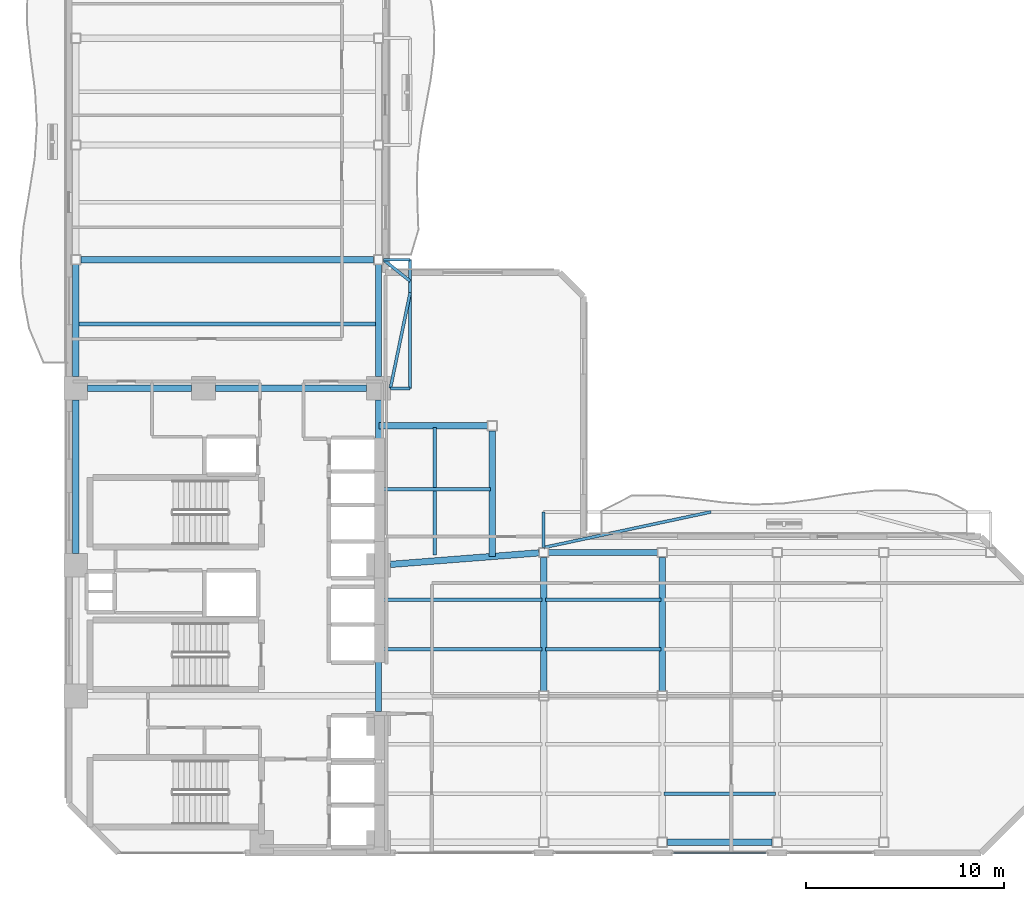
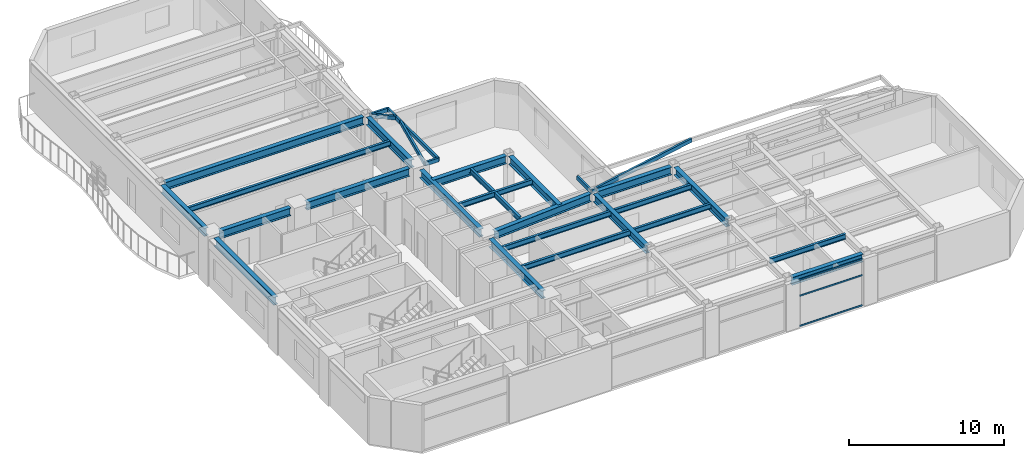
# One storey, part 6 of 15: 30 beams, 3 members, 1 element without a shape of its own.
"""IFC4 building model written with IfcOpenShell, lengths in metres."""

from ifc_helpers import new_model, si_unit, direction, frame, origin, origin_2d, place, context, subcontext, project, spatial, hollow_rectangle, i_section, extrude, material, layer, layer_set, material_profile, profile_set, type_object, element, aggregate, save


model = new_model("IFC4")

# Units and contexts
model_context = context("Model", 3, precision=1e-05, world=origin(), true_north=direction((0.0, 1.0)))
body_context = subcontext(model_context, "Body", "Model", "MODEL_VIEW")
ifc_project = project(units=[si_unit("LENGTHUNIT", "METRE"), si_unit("AREAUNIT", "SQUARE_METRE"), si_unit("VOLUMEUNIT", "CUBIC_METRE"), si_unit("PLANEANGLEUNIT", "RADIAN"), si_unit("MASSUNIT", "GRAM", prefix="KILO")], contexts=[model_context])

# Site, building, storey
site_placement = place(None, origin())
site = spatial("IfcSite", under=ifc_project, at=site_placement, CompositionType="ELEMENT")
building_placement = place(site_placement, origin())
building = spatial("IfcBuilding", under=site, at=building_placement, Name="Mawjaban Terraces University", CompositionType="ELEMENT")
storey_placement = place(building_placement, frame((0.0, 0.0, 119.0)))
storey = spatial("IfcBuildingStorey", under=building, at=storey_placement, Name="L28", CompositionType="ELEMENT", Elevation=119.0)

# Beams
ifc_material_1 = material(Name="Steel EN 10210-1 S355J2H", Category="steel")
ifc_material_profile_1 = material_profile(ifc_material_1, hollow_rectangle(XDim=0.14990234375, YDim=0.300048828125, WallThickness=0.012451171875, at=origin_2d()), Name="RHS300X150X12.5")
ifc_profile_set_1 = profile_set([ifc_material_profile_1], Name="Steel EN 10210-1 S355J2H")
beam_type_1 = type_object("IfcBeamType", Name="BalconyCantileverSpandrel_RHS", PredefinedType="SPANDREL", material=ifc_profile_set_1)
beam_1_placement = place(storey_placement, frame((46.0, 15.449951171875, 3.5400390625), z_axis=(0.0, 1.0, 0.0), x_axis=(-1.0, 0.0, 0.0)))
element("IfcBeam", 1, at=beam_1_placement, inside=storey, type_object=beam_type_1, Name="L28 Exterior Outrigger BAL-L29-N.1", PredefinedType="SPANDREL", context=body_context, shape_type="SweptSolid", body=[
    extrude(hollow_rectangle(XDim=0.14990234375, YDim=0.300048828125, WallThickness=0.012451171875, at=origin_2d()), origin(), (0.0, 0.0, 1.0), 1.800048828125),
])
beam_2_placement = place(storey_placement, frame((46.0, 15.449951171875, 3.5400390625), z_axis=(0.978069088277, 0.208280720558, 0.0), x_axis=(-0.208280720558, 0.978069088277, 0.0)))
element("IfcBeam", 2, at=beam_2_placement, inside=storey, type_object=beam_type_1, Name="L28 Exterior Diagonal Strut BAL-L29-N.1", PredefinedType="SPANDREL", context=body_context, shape_type="SweptSolid", body=[
    extrude(hollow_rectangle(XDim=0.14990234375, YDim=0.300048828125, WallThickness=0.012451171875, at=origin_2d()), origin(), (0.0, 0.0, 1.0), 8.642333984375),
])
beam_3_placement = place(storey_placement, frame((38.25, 23.5, 3.5400390625), z_axis=(1.0, 0.0, 0.0), x_axis=(0.0, 1.0, 0.0)))
element("IfcBeam", 3, at=beam_3_placement, inside=storey, type_object=beam_type_1, Name="L28 Exterior Outrigger TER-L29-CLIMB.1", PredefinedType="SPANDREL", context=body_context, shape_type="SweptSolid", body=[
    extrude(hollow_rectangle(XDim=0.14990234375, YDim=0.300048828125, WallThickness=0.012451171875, at=origin_2d()), origin(), (0.0, 0.0, 1.0), 1.0),
])
beam_4_placement = place(storey_placement, frame((37.89990234375, 30.0, 3.5400390625), z_axis=(1.0, 0.0, 0.0), x_axis=(0.0, 1.0, 0.0)))
element("IfcBeam", 4, at=beam_4_placement, inside=storey, type_object=beam_type_1, Name="L28 Exterior Outrigger TER-L29-CLIMB.2", PredefinedType="SPANDREL", context=body_context, shape_type="SweptSolid", body=[
    extrude(hollow_rectangle(XDim=0.14990234375, YDim=0.300048828125, WallThickness=0.012451171875, at=origin_2d()), origin(), (0.0, 0.0, 1.0), 1.35009765625),
])
beam_5_placement = place(storey_placement, frame((39.25, 23.5, 3.5400390625), z_axis=(0.0, 1.0, 0.0), x_axis=(-1.0, 0.0, 0.0)))
element("IfcBeam", 5, at=beam_5_placement, inside=storey, type_object=beam_type_1, Name="L28 Exterior Edge Spandrel TER-L29-CLIMB", PredefinedType="SPANDREL", context=body_context, shape_type="SweptSolid", body=[
    extrude(hollow_rectangle(XDim=0.14990234375, YDim=0.300048828125, WallThickness=0.012451171875, at=origin_2d()), origin(), (0.0, 0.0, 1.0), 6.5),
])
beam_6_placement = place(storey_placement, frame((38.25, 23.5, 3.5400390625), z_axis=(0.202540198775, 0.979273949352, 0.0), x_axis=(-0.979273949352, 0.202540198775, 0.0)))
element("IfcBeam", 6, at=beam_6_placement, inside=storey, type_object=beam_type_1, Name="L28 Exterior Diagonal Strut TER-L29-CLIMB.1", PredefinedType="SPANDREL", context=body_context, shape_type="SweptSolid", body=[
    extrude(hollow_rectangle(XDim=0.14990234375, YDim=0.300048828125, WallThickness=0.012451171875, at=origin_2d()), origin(), (0.0, 0.0, 1.0), 4.937255859375),
])
beam_7_placement = place(storey_placement, frame((37.89990234375, 30.0, 3.5400390625), z_axis=(0.779491727978, -0.626412520639, 0.0), x_axis=(0.626412520639, 0.779491727978, 0.0)))
element("IfcBeam", 7, at=beam_7_placement, inside=storey, type_object=beam_type_1, Name="L28 Exterior Diagonal Strut TER-L29-CLIMB.2", PredefinedType="SPANDREL", context=body_context, shape_type="SweptSolid", body=[
    extrude(hollow_rectangle(XDim=0.14990234375, YDim=0.300048828125, WallThickness=0.012451171875, at=origin_2d()), origin(), (0.0, 0.0, 1.0), 1.73193359375),
])
ifc_material_2 = material(Name="Steel ASTM A572 Grade 50", Category="steel")
ifc_material_profile_2 = material_profile(ifc_material_2, i_section(OverallWidth=0.324951171875, OverallDepth=0.615966796875, WebThickness=0.013916015625, FlangeThickness=0.021484375, at=origin_2d()), Name="W610X174")
ifc_profile_set_2 = profile_set([ifc_material_profile_2], Name="Steel ASTM A572 Grade 50")
beam_type_2 = type_object("IfcBeamType", Name="Beam_B_W610X174", PredefinedType="BEAM", material=ifc_profile_set_2)
beam_8_placement = place(storey_placement, frame((52.25, 0.550048828125, 3.382080078125), z_axis=(1.0, 0.0, 0.0), x_axis=(0.0, 1.0, 0.0)))
element("IfcBeam", 8, at=beam_8_placement, inside=storey, type_object=beam_type_2, Name="L28 Beam BM-L28-EW-03", PredefinedType="BEAM", context=body_context, shape_type="SweptSolid", body=[
    extrude(i_section(OverallWidth=0.324951171875, OverallDepth=0.615966796875, WebThickness=0.013916015625, FlangeThickness=0.021484375, at=origin_2d()), origin(), (0.0, 0.0, 1.0), 5.300048828125),
])
beam_9_placement = place(storey_placement, frame((46.25, 15.199951171875, 3.382080078125), z_axis=(1.0, 0.0, 0.0), x_axis=(0.0, 1.0, 0.0)))
element("IfcBeam", 9, at=beam_9_placement, inside=storey, type_object=beam_type_2, Name="L28 Beam BM-L28-EW-08", PredefinedType="BEAM", context=body_context, shape_type="SweptSolid", body=[
    extrude(i_section(OverallWidth=0.324951171875, OverallDepth=0.615966796875, WebThickness=0.013916015625, FlangeThickness=0.021484375, at=origin_2d()), origin(), (0.0, 0.0, 1.0), 5.5),
])
beam_10_placement = place(storey_placement, frame((22.949951171875, 23.5, 3.382080078125), z_axis=(1.0, 0.0, 0.0), x_axis=(0.0, 1.0, 0.0)))
element("IfcBeam", 10, at=beam_10_placement, inside=storey, type_object=beam_type_2, Name="L28 Beam BM-L28-EW-12", PredefinedType="BEAM", context=body_context, shape_type="SweptSolid", body=[
    extrude(i_section(OverallWidth=0.324951171875, OverallDepth=0.615966796875, WebThickness=0.013916015625, FlangeThickness=0.021484375, at=origin_2d()), origin(), (0.0, 0.0, 1.0), 5.25),
])
beam_11_placement = place(storey_placement, frame((29.39990234375, 23.5, 3.382080078125), z_axis=(1.0, 0.0, 0.0), x_axis=(0.0, 1.0, 0.0)))
element("IfcBeam", 11, at=beam_11_placement, inside=storey, type_object=beam_type_2, Name="L28 Beam BM-L28-EW-13", PredefinedType="BEAM", context=body_context, shape_type="SweptSolid", body=[
    extrude(i_section(OverallWidth=0.324951171875, OverallDepth=0.615966796875, WebThickness=0.013916015625, FlangeThickness=0.021484375, at=origin_2d()), origin(), (0.0, 0.0, 1.0), 7.650146484375),
])
beam_12_placement = place(storey_placement, frame((22.60009765625, 30.0, 3.382080078125), z_axis=(1.0, 0.0, 0.0), x_axis=(0.0, 1.0, 0.0)))
element("IfcBeam", 12, at=beam_12_placement, inside=storey, type_object=beam_type_2, Name="L28 Beam BM-L28-EW-14", PredefinedType="BEAM", context=body_context, shape_type="SweptSolid", body=[
    extrude(i_section(OverallWidth=0.324951171875, OverallDepth=0.615966796875, WebThickness=0.013916015625, FlangeThickness=0.021484375, at=origin_2d()), origin(), (0.0, 0.0, 1.0), 14.7998046875),
])
beam_13_placement = place(storey_placement, frame((22.35009765625, 15.14990234375, 3.382080078125), z_axis=(0.0, 1.0, 0.0), x_axis=(-1.0, 0.0, 0.0)))
element("IfcBeam", 13, at=beam_13_placement, inside=storey, type_object=beam_type_2, Name="L28 Beam BM-L28-NS-02", PredefinedType="BEAM", context=body_context, shape_type="SweptSolid", body=[
    extrude(i_section(OverallWidth=0.324951171875, OverallDepth=0.615966796875, WebThickness=0.013916015625, FlangeThickness=0.021484375, at=origin_2d()), origin(), (0.0, 0.0, 1.0), 7.75),
])
beam_14_placement = place(storey_placement, frame((22.35009765625, 24.10009765625, 3.382080078125), z_axis=(0.0, 1.0, 0.0), x_axis=(-1.0, 0.0, 0.0)))
element("IfcBeam", 14, at=beam_14_placement, inside=storey, type_object=beam_type_2, Name="L28 Beam BM-L28-NS-03", PredefinedType="BEAM", context=body_context, shape_type="SweptSolid", body=[
    extrude(i_section(OverallWidth=0.324951171875, OverallDepth=0.615966796875, WebThickness=0.013916015625, FlangeThickness=0.021484375, at=origin_2d()), origin(), (0.0, 0.0, 1.0), 5.64990234375),
])
beam_15_placement = place(storey_placement, frame((37.64990234375, 7.14990234375, 3.382080078125), z_axis=(0.0, 1.0, 0.0), x_axis=(-1.0, 0.0, 0.0)))
element("IfcBeam", 15, at=beam_15_placement, inside=storey, type_object=beam_type_2, Name="L28 Beam BM-L28-NS-07", PredefinedType="BEAM", context=body_context, shape_type="SweptSolid", body=[
    extrude(i_section(OverallWidth=0.324951171875, OverallDepth=0.615966796875, WebThickness=0.013916015625, FlangeThickness=0.021484375, at=origin_2d()), origin(), (0.0, 0.0, 1.0), 6.800048828125),
])
beam_16_placement = place(storey_placement, frame((37.64990234375, 15.14990234375, 3.382080078125), z_axis=(0.0, 1.0, 0.0), x_axis=(-1.0, 0.0, 0.0)))
element("IfcBeam", 16, at=beam_16_placement, inside=storey, type_object=beam_type_2, Name="L28 Beam BM-L28-NS-08", PredefinedType="BEAM", context=body_context, shape_type="SweptSolid", body=[
    extrude(i_section(OverallWidth=0.324951171875, OverallDepth=0.615966796875, WebThickness=0.013916015625, FlangeThickness=0.021484375, at=origin_2d()), origin(), (0.0, 0.0, 1.0), 7.75),
])
beam_17_placement = place(storey_placement, frame((37.64990234375, 24.10009765625, 3.382080078125), z_axis=(0.0, 1.0, 0.0), x_axis=(-1.0, 0.0, 0.0)))
element("IfcBeam", 17, at=beam_17_placement, inside=storey, type_object=beam_type_2, Name="L28 Beam BM-L28-NS-09", PredefinedType="BEAM", context=body_context, shape_type="SweptSolid", body=[
    extrude(i_section(OverallWidth=0.324951171875, OverallDepth=0.615966796875, WebThickness=0.013916015625, FlangeThickness=0.021484375, at=origin_2d()), origin(), (0.0, 0.0, 1.0), 5.64990234375),
])
for number, where, z_axis, x_axis, name in (
    (18, (46.0, 8.199951171875, 3.382080078125), (0.0, 1.0, 0.0), (-1.0, 0.0, 0.0), "L28 Beam BM-L28-NS-13"),
    (19, (52.0, 8.199951171875, 3.382080078125), (0.0, 1.0, 0.0), (-1.0, 0.0, 0.0), "L28 Beam BM-L28-NS-15"),
):
    element("IfcBeam", number, at=place(storey_placement, frame(where, z_axis=z_axis, x_axis=x_axis)), inside=storey, type_object=beam_type_2, Name=name, PredefinedType="BEAM", context=body_context, shape_type="SweptSolid", body=[
        extrude(i_section(OverallWidth=0.324951171875, OverallDepth=0.615966796875, WebThickness=0.013916015625, FlangeThickness=0.021484375, at=origin_2d()), origin(), (0.0, 0.0, 1.0), 6.75),
    ])
beam_18_placement = place(storey_placement, frame((38.248046875, 14.596923828125, 3.382080078125), z_axis=(0.996984614132, 0.077599479273, 0.0), x_axis=(-0.077599479273, 0.996984614132, 0.0)))
element("IfcBeam", 20, at=beam_18_placement, inside=storey, type_object=beam_type_2, Name="L28 Beam BM-L28-CTIE", PredefinedType="BEAM", context=body_context, shape_type="SweptSolid", body=[
    extrude(i_section(OverallWidth=0.324951171875, OverallDepth=0.615966796875, WebThickness=0.013916015625, FlangeThickness=0.021484375, at=origin_2d()), origin(), (0.0, 0.0, 1.0), 7.525634765625),
])
beam_19_placement = place(storey_placement, frame((37.679931640625, 21.60009765625, 3.382080078125), z_axis=(1.0, 0.0, 0.0), x_axis=(0.0, 1.0, 0.0)))
element("IfcBeam", 21, at=beam_19_placement, inside=storey, type_object=beam_type_2, Name="L28 Spur Tie Girder West", PredefinedType="BEAM", context=body_context, shape_type="SweptSolid", body=[
    extrude(i_section(OverallWidth=0.324951171875, OverallDepth=0.615966796875, WebThickness=0.013916015625, FlangeThickness=0.021484375, at=origin_2d()), origin(), (0.0, 0.0, 1.0), 5.469970703125),
])
beam_20_placement = place(storey_placement, frame((43.39990234375, 15.0, 3.382080078125), z_axis=(0.0, 1.0, 0.0), x_axis=(-1.0, 0.0, 0.0)))
element("IfcBeam", 22, at=beam_20_placement, inside=storey, type_object=beam_type_2, Name="L28 Spur Tie Girder South", PredefinedType="BEAM", context=body_context, shape_type="SweptSolid", body=[
    extrude(i_section(OverallWidth=0.324951171875, OverallDepth=0.615966796875, WebThickness=0.013916015625, FlangeThickness=0.021484375, at=origin_2d()), origin(), (0.0, 0.0, 1.0), 6.35009765625),
])
ifc_material_profile_3 = material_profile(ifc_material_2, i_section(OverallWidth=0.179931640625, OverallDepth=0.4130859375, WebThickness=0.009765625, FlangeThickness=0.01611328125, at=origin_2d()), Name="W410X74")
ifc_profile_set_3 = profile_set([ifc_material_profile_3], Name="Steel ASTM A572 Grade 50")
beam_type_3 = type_object("IfcBeamType", Name="Beam_J_W410X74", PredefinedType="JOIST", material=ifc_profile_set_3)
beam_21_placement = place(storey_placement, frame((52.080078125, 3.0, 3.48291015625), z_axis=(1.0, 0.0, 0.0), x_axis=(0.0, 1.0, 0.0)))
element("IfcBeam", 23, at=beam_21_placement, inside=storey, type_object=beam_type_3, Name="L28 Composite Joist JST-L28-03", PredefinedType="JOIST", context=body_context, shape_type="SweptSolid", body=[
    extrude(i_section(OverallWidth=0.179931640625, OverallDepth=0.4130859375, WebThickness=0.009765625, FlangeThickness=0.01611328125, at=origin_2d()), origin(), (0.0, 0.0, 1.0), 5.639892578125),
])
beam_22_placement = place(storey_placement, frame((37.72998046875, 10.300048828125, 3.48291015625), z_axis=(1.0, 0.0, 0.0), x_axis=(0.0, 1.0, 0.0)))
element("IfcBeam", 24, at=beam_22_placement, inside=storey, type_object=beam_type_3, Name="L28 Composite Joist JST-L28-09", PredefinedType="JOIST", context=body_context, shape_type="SweptSolid", body=[
    extrude(i_section(OverallWidth=0.179931640625, OverallDepth=0.4130859375, WebThickness=0.009765625, FlangeThickness=0.01611328125, at=origin_2d()), origin(), (0.0, 0.0, 1.0), 8.18994140625),
])
beam_23_placement = place(storey_placement, frame((46.080078125, 10.300048828125, 3.48291015625), z_axis=(1.0, 0.0, 0.0), x_axis=(0.0, 1.0, 0.0)))
element("IfcBeam", 25, at=beam_23_placement, inside=storey, type_object=beam_type_3, Name="L28 Composite Joist JST-L28-10", PredefinedType="JOIST", context=body_context, shape_type="SweptSolid", body=[
    extrude(i_section(OverallWidth=0.179931640625, OverallDepth=0.4130859375, WebThickness=0.009765625, FlangeThickness=0.01611328125, at=origin_2d()), origin(), (0.0, 0.0, 1.0), 5.83984375),
])
beam_24_placement = place(storey_placement, frame((37.72998046875, 12.800048828125, 3.48291015625), z_axis=(1.0, 0.0, 0.0), x_axis=(0.0, 1.0, 0.0)))
element("IfcBeam", 26, at=beam_24_placement, inside=storey, type_object=beam_type_3, Name="L28 Composite Joist JST-L28-13", PredefinedType="JOIST", context=body_context, shape_type="SweptSolid", body=[
    extrude(i_section(OverallWidth=0.179931640625, OverallDepth=0.4130859375, WebThickness=0.009765625, FlangeThickness=0.01611328125, at=origin_2d()), origin(), (0.0, 0.0, 1.0), 8.18994140625),
])
beam_25_placement = place(storey_placement, frame((46.080078125, 12.800048828125, 3.48291015625), z_axis=(1.0, 0.0, 0.0), x_axis=(0.0, 1.0, 0.0)))
element("IfcBeam", 27, at=beam_25_placement, inside=storey, type_object=beam_type_3, Name="L28 Composite Joist JST-L28-14", PredefinedType="JOIST", context=body_context, shape_type="SweptSolid", body=[
    extrude(i_section(OverallWidth=0.179931640625, OverallDepth=0.4130859375, WebThickness=0.009765625, FlangeThickness=0.01611328125, at=origin_2d()), origin(), (0.0, 0.0, 1.0), 5.83984375),
])
beam_26_placement = place(storey_placement, frame((37.72998046875, 18.39990234375, 3.48291015625), z_axis=(1.0, 0.0, 0.0), x_axis=(0.0, 1.0, 0.0)))
element("IfcBeam", 28, at=beam_26_placement, inside=storey, type_object=beam_type_3, Name="L28 Composite Joist JST-L28-17", PredefinedType="JOIST", context=body_context, shape_type="SweptSolid", body=[
    extrude(i_section(OverallWidth=0.179931640625, OverallDepth=0.4130859375, WebThickness=0.009765625, FlangeThickness=0.01611328125, at=origin_2d()), origin(), (0.0, 0.0, 1.0), 5.590087890625),
])
beam_27_placement = place(storey_placement, frame((22.429931640625, 26.75, 3.48291015625), z_axis=(1.0, 0.0, 0.0), x_axis=(0.0, 1.0, 0.0)))
element("IfcBeam", 29, at=beam_27_placement, inside=storey, type_object=beam_type_3, Name="L28 Composite Joist JST-L28-18", PredefinedType="JOIST", context=body_context, shape_type="SweptSolid", body=[
    extrude(i_section(OverallWidth=0.179931640625, OverallDepth=0.4130859375, WebThickness=0.009765625, FlangeThickness=0.01611328125, at=origin_2d()), origin(), (0.0, 0.0, 1.0), 15.14013671875),
])
beam_28_placement = place(storey_placement, frame((40.5, 15.080078125, 3.48291015625), z_axis=(0.0, 1.0, 0.0), x_axis=(-1.0, 0.0, 0.0)))
element("IfcBeam", 30, at=beam_28_placement, inside=storey, type_object=beam_type_3, Name="L28 Composite Joist JST-L28-NS-21", PredefinedType="JOIST", context=body_context, shape_type="SweptSolid", body=[
    extrude(i_section(OverallWidth=0.179931640625, OverallDepth=0.4130859375, WebThickness=0.009765625, FlangeThickness=0.01611328125, at=origin_2d()), origin(), (0.0, 0.0, 1.0), 6.43994140625),
])

# Curtain wall, members
ifc_material_3 = material(Name="Anodised aluminium 6063-T6 and solar-control low-E glass", Category="aluminium")
ifc_layer = layer(ifc_material_3, 0.1650390625)
ifc_layer_set = layer_set([ifc_layer], Name="Anodised aluminium 6063-T6 and solar-control low-E glass")
curtain_wall_type = type_object("IfcCurtainWallType", Name="CWSystem_04_EastWing", PredefinedType="NOTDEFINED", material=ifc_layer_set)
curtain_wall_placement = place(storey_placement, origin())
curtain_wall = element("IfcCurtainWall", 31, at=curtain_wall_placement, inside=storey, type_object=curtain_wall_type, Name="L28 Curtain Wall CW-04 Run 1.4", PredefinedType="NOTDEFINED")
ifc_material_4 = material(Name="Anodised aluminium 6063-T6", Category="aluminium")
ifc_material_profile_4 = material_profile(ifc_material_4, hollow_rectangle(XDim=0.06005859375, YDim=0.1201171875, WallThickness=0.00341796875, at=origin_2d()), Name="ALU120X60X3.5")
ifc_profile_set_4 = profile_set([ifc_material_profile_4], Name="Anodised aluminium 6063-T6")
member_type = type_object("IfcMemberType", Name="Transom_CW-04", PredefinedType="NOTDEFINED", material=ifc_profile_set_4)
member_1_placement = place(storey_placement, frame((52.56494140625, 0.0, 0.030029296875), z_axis=(1.0, 0.0, 0.0), x_axis=(0.0, 1.0, 0.0)))
member_1 = element("IfcMember", 32, at=member_1_placement, type_object=member_type, Name="CW-04 transom 1.1", ObjectType="TRANSOM", PredefinedType="USERDEFINED", context=body_context, shape_type="SweptSolid", body=[
    extrude(hollow_rectangle(XDim=0.06005859375, YDim=0.1201171875, WallThickness=0.00341796875, at=origin_2d()), origin(), (0.0, 0.0, 1.0), 4.670166015625),
])
member_2_placement = place(storey_placement, frame((52.56494140625, 0.0, 2.39794921875), z_axis=(1.0, 0.0, 0.0), x_axis=(0.0, 1.0, 0.0)))
member_2 = element("IfcMember", 33, at=member_2_placement, type_object=member_type, Name="CW-04 transom 1.2", ObjectType="TRANSOM", PredefinedType="USERDEFINED", context=body_context, shape_type="SweptSolid", body=[
    extrude(hollow_rectangle(XDim=0.06005859375, YDim=0.1201171875, WallThickness=0.00341796875, at=origin_2d()), origin(), (0.0, 0.0, 1.0), 4.670166015625),
])
member_3_placement = place(storey_placement, frame((52.56494140625, 0.0, 3.659912109375), z_axis=(1.0, 0.0, 0.0), x_axis=(0.0, 1.0, 0.0)))
member_3 = element("IfcMember", 34, at=member_3_placement, type_object=member_type, Name="CW-04 transom 1.3", ObjectType="TRANSOM", PredefinedType="USERDEFINED", context=body_context, shape_type="SweptSolid", body=[
    extrude(hollow_rectangle(XDim=0.06005859375, YDim=0.1201171875, WallThickness=0.00341796875, at=origin_2d()), origin(), (0.0, 0.0, 1.0), 4.670166015625),
])
aggregate(curtain_wall, [member_1, member_2, member_3])

save(model, "model.ifc")
